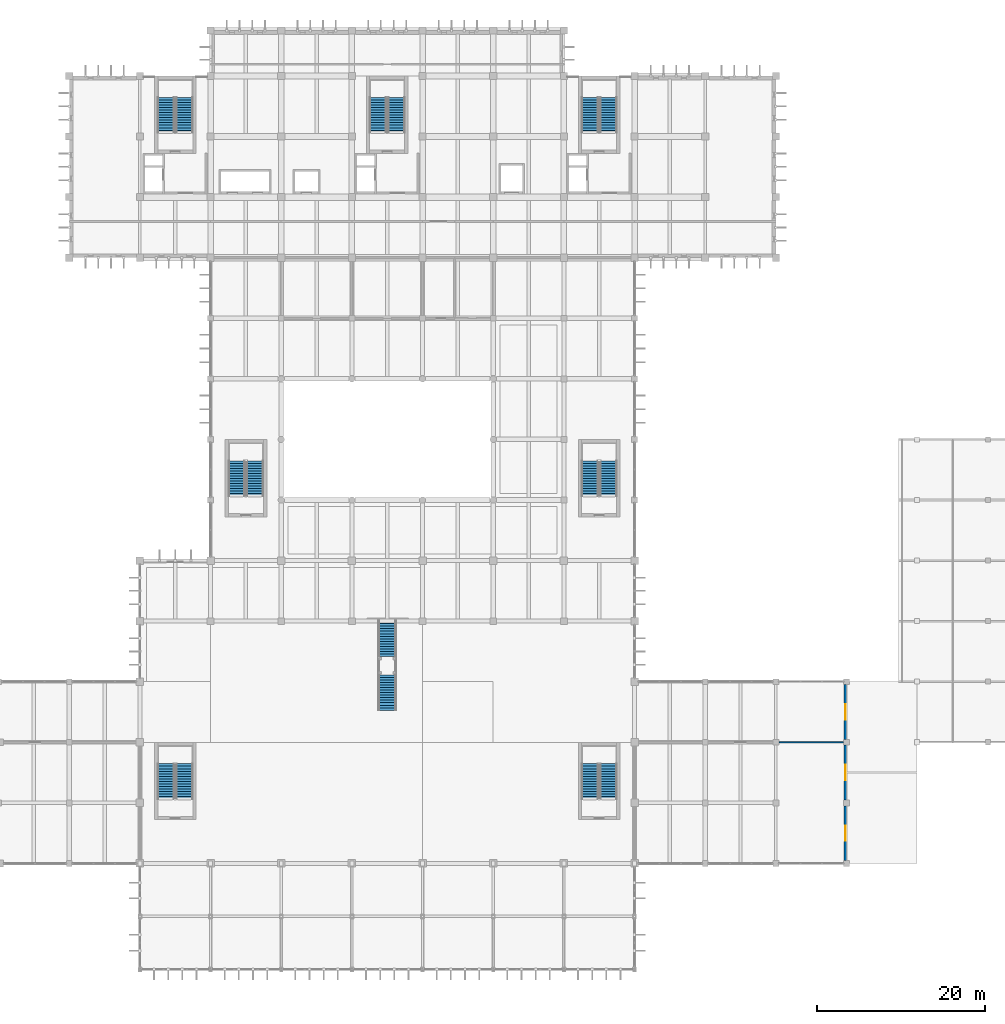
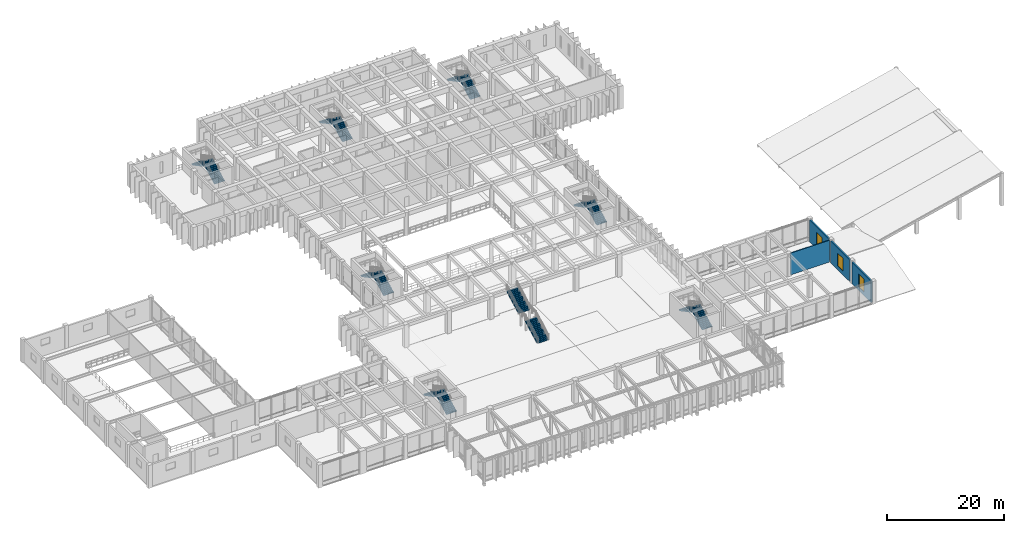
# One storey, part 38 of 51: 16 stair flights, 4 walls, 3 windows, 3 openings, 8 elements without a shape of their own.
"""IFC4 building model written with IfcOpenShell, lengths in metres."""

from ifc_helpers import new_model, si_unit, direction, frame, frame_2d, origin, place, context, subcontext, project, spatial, polyline, rectangle, outline, extrude, material, layer, layer_set, type_object, element, fill, aggregate, save


model = new_model("IFC4")

# Units and contexts
model_context = context("Model", 3, precision=1e-05, world=origin(), true_north=direction((0.0, 1.0)))
body_context = subcontext(model_context, "Body", "Model", "MODEL_VIEW")
ifc_project = project(units=[si_unit("LENGTHUNIT", "METRE"), si_unit("AREAUNIT", "SQUARE_METRE"), si_unit("VOLUMEUNIT", "CUBIC_METRE"), si_unit("PLANEANGLEUNIT", "RADIAN"), si_unit("MASSUNIT", "GRAM", prefix="KILO")], contexts=[model_context])

# Site, building, storey
site_placement = place(None, origin())
site = spatial("IfcSite", under=ifc_project, at=site_placement, CompositionType="ELEMENT")
building_placement = place(site_placement, origin())
building = spatial("IfcBuilding", under=site, at=building_placement, Name="Kenerak Square Central Library", CompositionType="ELEMENT")
storey_placement = place(building_placement, frame((0.0, 0.0, 9.60009765625)))
storey = spatial("IfcBuildingStorey", under=building, at=storey_placement, Name="L02", CompositionType="ELEMENT", Elevation=9.60009765625)

# Wall
ifc_material_1 = material(Name="Precast concrete C40/50", Category="concrete")
ifc_layer_1 = layer(ifc_material_1, 0.14990234375)
ifc_layer_set_1 = layer_set([ifc_layer_1], Name="Precast concrete C40/50")
wall_type_1 = type_object("IfcWallType", Name="Acoustic Blockwork Partition IW-150 C40/50", PredefinedType="PARTITIONING", material=ifc_layer_set_1)
wall_1_placement = place(storey_placement, frame((134.35009765625, 31.199951171875, 0.0), z_axis=(0.0, 0.0, 1.0), x_axis=(1.0, 0.0, 0.0)))
element("IfcWall", 1, at=wall_1_placement, inside=storey, type_object=wall_type_1, Name="Interior Wall IW-L02-03-N2-B3", PredefinedType="PARTITIONING", context=body_context, shape_type="SweptSolid", body=[
    extrude(rectangle(XDim=7.699951171875, YDim=0.14990234375, at=frame_2d((3.85009765625, 0.0))), origin(), (0.0, 0.0, 1.0), 4.5498046875),
])

# Wall, opening, window
ifc_material_2 = material(Name="Concrete C40/50", Category="concrete")
ifc_layer_2 = layer(ifc_material_2, 0.300048828125)
ifc_layer_set_2 = layer_set([ifc_layer_2], Name="Concrete C40/50")
wall_type_2 = type_object("IfcWallType", Name="Board-Marked Brutalist Facade Wall EW-300 C40/50", PredefinedType="SOLIDWALL", material=ifc_layer_set_2)
wall_2_placement = place(storey_placement, frame((142.25, 38.050048828125, 0.0), z_axis=(0.0, 0.0, 1.0), x_axis=(0.0, -1.0, 0.0)))
wall_2 = element("IfcWall", 2, at=wall_2_placement, inside=storey, type_object=wall_type_2, Name="Exterior Facade Wall L02 0189", PredefinedType="SOLIDWALL", context=body_context, shape_type="SweptSolid", body=[
    extrude(rectangle(XDim=6.5, YDim=0.300048828125, at=frame_2d((3.25, 0.0))), origin(), (0.0, 0.0, 1.0), 4.5498046875),
])
opening_1_placement = place(wall_2_placement, frame((2.35009765625, 0.0, 0.75)))
opening_1 = element("IfcOpeningElement", 3, at=opening_1_placement, cuts=wall_2, Name="Opening W-10", PredefinedType="OPENING", context=body_context, shape_type="SweptSolid", body=[
    extrude(rectangle(XDim=1.800048828125, YDim=2.699951171875, at=frame_2d((0.89990234375, 1.35009765625))), frame((0.0, 0.159912109375, 0.0), z_axis=(0.0, -1.0, 0.0), x_axis=(1.0, 0.0, 0.0)), (0.0, 0.0, 1.0), 0.320068359375),
])
ifc_material_3 = material(Name="Solar-control low-E laminated double glazing", Category="glass")
window_type = type_object("IfcWindowType", Name="Reading Gallery Tall Window W-10 1800x2700", PartitioningType="SINGLE_PANEL", PredefinedType="WINDOW", material=ifc_material_3)
window_1_placement = place(opening_1_placement, origin())
window_1 = element("IfcWindow", 4, at=window_1_placement, inside=storey, type_object=window_type, Name="Window W-10 L02 0196", OverallHeight=2.699951171875, OverallWidth=1.800048828125, PartitioningType="SINGLE_PANEL", PredefinedType="WINDOW", context=body_context, shape_type="SweptSolid", body=[
    extrude(rectangle(XDim=1.800048828125, YDim=2.699951171875, at=frame_2d((0.89990234375, 1.35009765625))), frame((0.0, 0.030029296875, 0.0), z_axis=(0.0, -1.0, 0.0), x_axis=(1.0, 0.0, 0.0)), (0.0, 0.0, 1.0), 0.06005859375),
])
fill(opening_1, window_1)

wall_3_placement = place(storey_placement, frame((142.25, 30.85009765625, 0.0), z_axis=(0.0, 0.0, 1.0), x_axis=(0.0, -1.0, 0.0)))
wall_3 = element("IfcWall", 5, at=wall_3_placement, inside=storey, type_object=wall_type_2, Name="Exterior Facade Wall L02 0190", PredefinedType="SOLIDWALL", context=body_context, shape_type="SweptSolid", body=[
    extrude(rectangle(XDim=6.5, YDim=0.300048828125, at=frame_2d((3.25, 0.0))), origin(), (0.0, 0.0, 1.0), 4.5498046875),
])
opening_2_placement = place(wall_3_placement, frame((2.35009765625, 0.0, 0.75)))
opening_2 = element("IfcOpeningElement", 6, at=opening_2_placement, cuts=wall_3, Name="Opening W-10", PredefinedType="OPENING", context=body_context, shape_type="SweptSolid", body=[
    extrude(rectangle(XDim=1.800048828125, YDim=2.699951171875, at=frame_2d((0.89990234375, 1.35009765625))), frame((0.0, 0.159912109375, 0.0), z_axis=(0.0, -1.0, 0.0), x_axis=(1.0, 0.0, 0.0)), (0.0, 0.0, 1.0), 0.320068359375),
])
window_2_placement = place(opening_2_placement, origin())
window_2 = element("IfcWindow", 7, at=window_2_placement, inside=storey, type_object=window_type, Name="Window W-10 L02 0197", OverallHeight=2.699951171875, OverallWidth=1.800048828125, PartitioningType="SINGLE_PANEL", PredefinedType="WINDOW", context=body_context, shape_type="SweptSolid", body=[
    extrude(rectangle(XDim=1.800048828125, YDim=2.699951171875, at=frame_2d((0.89990234375, 1.35009765625))), frame((0.0, 0.030029296875, 0.0), z_axis=(0.0, -1.0, 0.0), x_axis=(1.0, 0.0, 0.0)), (0.0, 0.0, 1.0), 0.06005859375),
])
fill(opening_2, window_2)

wall_4_placement = place(storey_placement, frame((142.25, 23.64990234375, 0.0), z_axis=(0.0, 0.0, 1.0), x_axis=(0.0, -1.0, 0.0)))
wall_4 = element("IfcWall", 8, at=wall_4_placement, inside=storey, type_object=wall_type_2, Name="Exterior Facade Wall L02 0191", PredefinedType="SOLIDWALL", context=body_context, shape_type="SweptSolid", body=[
    extrude(rectangle(XDim=6.5, YDim=0.300048828125, at=frame_2d((3.25, 0.0))), origin(), (0.0, 0.0, 1.0), 4.5498046875),
])
opening_3_placement = place(wall_4_placement, frame((2.35009765625, 0.0, 0.75)))
opening_3 = element("IfcOpeningElement", 9, at=opening_3_placement, cuts=wall_4, Name="Opening W-10", PredefinedType="OPENING", context=body_context, shape_type="SweptSolid", body=[
    extrude(rectangle(XDim=1.800048828125, YDim=2.699951171875, at=frame_2d((0.89990234375, 1.35009765625))), frame((0.0, 0.159912109375, 0.0), z_axis=(0.0, -1.0, 0.0), x_axis=(1.0, 0.0, 0.0)), (0.0, 0.0, 1.0), 0.320068359375),
])
window_3_placement = place(opening_3_placement, origin())
window_3 = element("IfcWindow", 10, at=window_3_placement, inside=storey, type_object=window_type, Name="Window W-10 L02 0198", OverallHeight=2.699951171875, OverallWidth=1.800048828125, PartitioningType="SINGLE_PANEL", PredefinedType="WINDOW", context=body_context, shape_type="SweptSolid", body=[
    extrude(rectangle(XDim=1.800048828125, YDim=2.699951171875, at=frame_2d((0.89990234375, 1.35009765625))), frame((0.0, 0.030029296875, 0.0), z_axis=(0.0, -1.0, 0.0), x_axis=(1.0, 0.0, 0.0)), (0.0, 0.0, 1.0), 0.06005859375),
])
fill(opening_3, window_3)

# Stair, stair flights
stair_type_1 = type_object("IfcStairType", Name="Exit Dogleg Stair ST-480 C40/50", PredefinedType="HALF_TURN_STAIR", material=ifc_material_2)
stair_1_placement = place(storey_placement, origin())
stair_1 = element("IfcStair", 11, at=stair_1_placement, inside=storey, type_object=stair_type_1, Name="L02 Protected Exit Stair ST-01", PredefinedType="HALF_TURN_STAIR")
stair_flight_type_1 = type_object("IfcStairFlightType", Name="Exit Stair Flight FL-15 C40/50", PredefinedType="STRAIGHT", material=ifc_material_2)
stair_flight_1_placement = place(storey_placement, frame((63.68994140625, 103.64990234375, 0.0), z_axis=(0.0, 0.0, 1.0), x_axis=(0.0, 1.0, 0.0)))
stair_flight_1 = element("IfcStairFlight", 12, at=stair_flight_1_placement, type_object=stair_flight_type_1, Name="ST-01 Flight 1", NumberOfRisers=15, NumberOfTreads=14, PredefinedType="STRAIGHT", RiserHeight=0.16, TreadLength=0.3, context=body_context, shape_type="SweptSolid", body=[
    extrude(outline(polyline([(0.0, 0.0), (0.0, 0.159912109375), (0.300048828125, 0.159912109375), (0.300048828125, 0.320068359375), (0.60009765625, 0.320068359375), (0.60009765625, 0.47998046875), (0.89990234375, 0.47998046875), (0.89990234375, 0.639892578125), (1.199951171875, 0.639892578125), (1.199951171875, 0.800048828125), (1.5, 0.800048828125), (1.5, 0.9599609375), (1.800048828125, 0.9599609375), (1.800048828125, 1.1201171875), (2.10009765625, 1.1201171875), (2.10009765625, 1.280029296875), (2.39990234375, 1.280029296875), (2.39990234375, 1.43994140625), (2.699951171875, 1.43994140625), (2.699951171875, 1.60009765625), (3.0, 1.60009765625), (3.0, 1.760009765625), (3.300048828125, 1.760009765625), (3.300048828125, 1.919921875), (3.60009765625, 1.919921875), (3.60009765625, 2.080078125), (3.89990234375, 2.080078125), (3.89990234375, 2.239990234375), (4.199951171875, 2.239990234375), (4.199951171875, 2.39990234375), (4.199951171875, 2.0361328125), (0.38232421875, 0.0), (0.0, 0.0)])), frame((0.0, 0.989990234375, 0.0), z_axis=(0.0, -1.0, 0.0), x_axis=(1.0, 0.0, 0.0)), (0.0, 0.0, 1.0), 1.97998046875),
])
stair_flight_2_placement = place(storey_placement, frame((61.510009765625, 107.85009765625, 2.39990234375), z_axis=(0.0, 0.0, 1.0), x_axis=(0.0, -1.0, 0.0)))
stair_flight_2 = element("IfcStairFlight", 13, at=stair_flight_2_placement, type_object=stair_flight_type_1, Name="ST-01 Flight 2", NumberOfRisers=15, NumberOfTreads=14, PredefinedType="STRAIGHT", RiserHeight=0.16, TreadLength=0.3, context=body_context, shape_type="SweptSolid", body=[
    extrude(outline(polyline([(0.0, 0.0), (0.0, 0.159912109375), (0.300048828125, 0.159912109375), (0.300048828125, 0.320068359375), (0.60009765625, 0.320068359375), (0.60009765625, 0.47998046875), (0.89990234375, 0.47998046875), (0.89990234375, 0.639892578125), (1.199951171875, 0.639892578125), (1.199951171875, 0.800048828125), (1.5, 0.800048828125), (1.5, 0.9599609375), (1.800048828125, 0.9599609375), (1.800048828125, 1.1201171875), (2.10009765625, 1.1201171875), (2.10009765625, 1.280029296875), (2.39990234375, 1.280029296875), (2.39990234375, 1.43994140625), (2.699951171875, 1.43994140625), (2.699951171875, 1.60009765625), (3.0, 1.60009765625), (3.0, 1.760009765625), (3.300048828125, 1.760009765625), (3.300048828125, 1.919921875), (3.60009765625, 1.919921875), (3.60009765625, 2.080078125), (3.89990234375, 2.080078125), (3.89990234375, 2.239990234375), (4.199951171875, 2.239990234375), (4.199951171875, 2.39990234375), (4.199951171875, 2.0361328125), (0.38232421875, 0.0), (0.0, 0.0)])), frame((0.0, 0.989990234375, 0.0), z_axis=(0.0, -1.0, 0.0), x_axis=(1.0, 0.0, 0.0)), (0.0, 0.0, 1.0), 1.97998046875),
])
aggregate(stair_1, [stair_flight_1, stair_flight_2])

stair_2_placement = place(storey_placement, origin())
stair_2 = element("IfcStair", 14, at=stair_2_placement, inside=storey, type_object=stair_type_1, Name="L02 Protected Exit Stair ST-02", PredefinedType="HALF_TURN_STAIR")
stair_flight_3_placement = place(storey_placement, frame((88.889892578125, 103.64990234375, 0.0), z_axis=(0.0, 0.0, 1.0), x_axis=(0.0, 1.0, 0.0)))
stair_flight_3 = element("IfcStairFlight", 15, at=stair_flight_3_placement, type_object=stair_flight_type_1, Name="ST-02 Flight 1", NumberOfRisers=15, NumberOfTreads=14, PredefinedType="STRAIGHT", RiserHeight=0.16, TreadLength=0.3, context=body_context, shape_type="SweptSolid", body=[
    extrude(outline(polyline([(0.0, 0.0), (0.0, 0.159912109375), (0.300048828125, 0.159912109375), (0.300048828125, 0.320068359375), (0.60009765625, 0.320068359375), (0.60009765625, 0.47998046875), (0.89990234375, 0.47998046875), (0.89990234375, 0.639892578125), (1.199951171875, 0.639892578125), (1.199951171875, 0.800048828125), (1.5, 0.800048828125), (1.5, 0.9599609375), (1.800048828125, 0.9599609375), (1.800048828125, 1.1201171875), (2.10009765625, 1.1201171875), (2.10009765625, 1.280029296875), (2.39990234375, 1.280029296875), (2.39990234375, 1.43994140625), (2.699951171875, 1.43994140625), (2.699951171875, 1.60009765625), (3.0, 1.60009765625), (3.0, 1.760009765625), (3.300048828125, 1.760009765625), (3.300048828125, 1.919921875), (3.60009765625, 1.919921875), (3.60009765625, 2.080078125), (3.89990234375, 2.080078125), (3.89990234375, 2.239990234375), (4.199951171875, 2.239990234375), (4.199951171875, 2.39990234375), (4.199951171875, 2.0361328125), (0.38232421875, 0.0), (0.0, 0.0)])), frame((0.0, 0.989990234375, 0.0), z_axis=(0.0, -1.0, 0.0), x_axis=(1.0, 0.0, 0.0)), (0.0, 0.0, 1.0), 1.97998046875),
])
stair_flight_4_placement = place(storey_placement, frame((86.7099609375, 107.85009765625, 2.39990234375), z_axis=(0.0, 0.0, 1.0), x_axis=(0.0, -1.0, 0.0)))
stair_flight_4 = element("IfcStairFlight", 16, at=stair_flight_4_placement, type_object=stair_flight_type_1, Name="ST-02 Flight 2", NumberOfRisers=15, NumberOfTreads=14, PredefinedType="STRAIGHT", RiserHeight=0.16, TreadLength=0.3, context=body_context, shape_type="SweptSolid", body=[
    extrude(outline(polyline([(0.0, 0.0), (0.0, 0.159912109375), (0.300048828125, 0.159912109375), (0.300048828125, 0.320068359375), (0.60009765625, 0.320068359375), (0.60009765625, 0.47998046875), (0.89990234375, 0.47998046875), (0.89990234375, 0.639892578125), (1.199951171875, 0.639892578125), (1.199951171875, 0.800048828125), (1.5, 0.800048828125), (1.5, 0.9599609375), (1.800048828125, 0.9599609375), (1.800048828125, 1.1201171875), (2.10009765625, 1.1201171875), (2.10009765625, 1.280029296875), (2.39990234375, 1.280029296875), (2.39990234375, 1.43994140625), (2.699951171875, 1.43994140625), (2.699951171875, 1.60009765625), (3.0, 1.60009765625), (3.0, 1.760009765625), (3.300048828125, 1.760009765625), (3.300048828125, 1.919921875), (3.60009765625, 1.919921875), (3.60009765625, 2.080078125), (3.89990234375, 2.080078125), (3.89990234375, 2.239990234375), (4.199951171875, 2.239990234375), (4.199951171875, 2.39990234375), (4.199951171875, 2.0361328125), (0.38232421875, 0.0), (0.0, 0.0)])), frame((0.0, 0.989990234375, 0.0), z_axis=(0.0, -1.0, 0.0), x_axis=(1.0, 0.0, 0.0)), (0.0, 0.0, 1.0), 1.97998046875),
])
aggregate(stair_2, [stair_flight_3, stair_flight_4])

stair_3_placement = place(storey_placement, origin())
stair_3 = element("IfcStair", 17, at=stair_3_placement, inside=storey, type_object=stair_type_1, Name="L02 Protected Exit Stair ST-03", PredefinedType="HALF_TURN_STAIR")
stair_flight_5_placement = place(storey_placement, frame((114.090087890625, 103.64990234375, 0.0), z_axis=(0.0, 0.0, 1.0), x_axis=(0.0, 1.0, 0.0)))
stair_flight_5 = element("IfcStairFlight", 18, at=stair_flight_5_placement, type_object=stair_flight_type_1, Name="ST-03 Flight 1", NumberOfRisers=15, NumberOfTreads=14, PredefinedType="STRAIGHT", RiserHeight=0.16, TreadLength=0.3, context=body_context, shape_type="SweptSolid", body=[
    extrude(outline(polyline([(0.0, 0.0), (0.0, 0.159912109375), (0.300048828125, 0.159912109375), (0.300048828125, 0.320068359375), (0.60009765625, 0.320068359375), (0.60009765625, 0.47998046875), (0.89990234375, 0.47998046875), (0.89990234375, 0.639892578125), (1.199951171875, 0.639892578125), (1.199951171875, 0.800048828125), (1.5, 0.800048828125), (1.5, 0.9599609375), (1.800048828125, 0.9599609375), (1.800048828125, 1.1201171875), (2.10009765625, 1.1201171875), (2.10009765625, 1.280029296875), (2.39990234375, 1.280029296875), (2.39990234375, 1.43994140625), (2.699951171875, 1.43994140625), (2.699951171875, 1.60009765625), (3.0, 1.60009765625), (3.0, 1.760009765625), (3.300048828125, 1.760009765625), (3.300048828125, 1.919921875), (3.60009765625, 1.919921875), (3.60009765625, 2.080078125), (3.89990234375, 2.080078125), (3.89990234375, 2.239990234375), (4.199951171875, 2.239990234375), (4.199951171875, 2.39990234375), (4.199951171875, 2.0361328125), (0.38232421875, 0.0), (0.0, 0.0)])), frame((0.0, 0.989990234375, 0.0), z_axis=(0.0, -1.0, 0.0), x_axis=(1.0, 0.0, 0.0)), (0.0, 0.0, 1.0), 1.97998046875),
])
stair_flight_6_placement = place(storey_placement, frame((111.909912109375, 107.85009765625, 2.39990234375), z_axis=(0.0, 0.0, 1.0), x_axis=(0.0, -1.0, 0.0)))
stair_flight_6 = element("IfcStairFlight", 19, at=stair_flight_6_placement, type_object=stair_flight_type_1, Name="ST-03 Flight 2", NumberOfRisers=15, NumberOfTreads=14, PredefinedType="STRAIGHT", RiserHeight=0.16, TreadLength=0.3, context=body_context, shape_type="SweptSolid", body=[
    extrude(outline(polyline([(0.0, 0.0), (0.0, 0.159912109375), (0.300048828125, 0.159912109375), (0.300048828125, 0.320068359375), (0.60009765625, 0.320068359375), (0.60009765625, 0.47998046875), (0.89990234375, 0.47998046875), (0.89990234375, 0.639892578125), (1.199951171875, 0.639892578125), (1.199951171875, 0.800048828125), (1.5, 0.800048828125), (1.5, 0.9599609375), (1.800048828125, 0.9599609375), (1.800048828125, 1.1201171875), (2.10009765625, 1.1201171875), (2.10009765625, 1.280029296875), (2.39990234375, 1.280029296875), (2.39990234375, 1.43994140625), (2.699951171875, 1.43994140625), (2.699951171875, 1.60009765625), (3.0, 1.60009765625), (3.0, 1.760009765625), (3.300048828125, 1.760009765625), (3.300048828125, 1.919921875), (3.60009765625, 1.919921875), (3.60009765625, 2.080078125), (3.89990234375, 2.080078125), (3.89990234375, 2.239990234375), (4.199951171875, 2.239990234375), (4.199951171875, 2.39990234375), (4.199951171875, 2.0361328125), (0.38232421875, 0.0), (0.0, 0.0)])), frame((0.0, 0.989990234375, 0.0), z_axis=(0.0, -1.0, 0.0), x_axis=(1.0, 0.0, 0.0)), (0.0, 0.0, 1.0), 1.97998046875),
])
aggregate(stair_3, [stair_flight_5, stair_flight_6])

stair_4_placement = place(storey_placement, origin())
stair_4 = element("IfcStair", 20, at=stair_4_placement, inside=storey, type_object=stair_type_1, Name="L02 Protected Exit Stair ST-04", PredefinedType="HALF_TURN_STAIR")
stair_flight_7_placement = place(storey_placement, frame((63.68994140625, 24.449951171875, 0.0), z_axis=(0.0, 0.0, 1.0), x_axis=(0.0, 1.0, 0.0)))
stair_flight_7 = element("IfcStairFlight", 21, at=stair_flight_7_placement, type_object=stair_flight_type_1, Name="ST-04 Flight 1", NumberOfRisers=15, NumberOfTreads=14, PredefinedType="STRAIGHT", RiserHeight=0.16, TreadLength=0.3, context=body_context, shape_type="SweptSolid", body=[
    extrude(outline(polyline([(0.0, 0.0), (0.0, 0.159912109375), (0.300048828125, 0.159912109375), (0.300048828125, 0.320068359375), (0.60009765625, 0.320068359375), (0.60009765625, 0.47998046875), (0.89990234375, 0.47998046875), (0.89990234375, 0.639892578125), (1.199951171875, 0.639892578125), (1.199951171875, 0.800048828125), (1.5, 0.800048828125), (1.5, 0.9599609375), (1.800048828125, 0.9599609375), (1.800048828125, 1.1201171875), (2.10009765625, 1.1201171875), (2.10009765625, 1.280029296875), (2.39990234375, 1.280029296875), (2.39990234375, 1.43994140625), (2.699951171875, 1.43994140625), (2.699951171875, 1.60009765625), (3.0, 1.60009765625), (3.0, 1.760009765625), (3.300048828125, 1.760009765625), (3.300048828125, 1.919921875), (3.60009765625, 1.919921875), (3.60009765625, 2.080078125), (3.89990234375, 2.080078125), (3.89990234375, 2.239990234375), (4.199951171875, 2.239990234375), (4.199951171875, 2.39990234375), (4.199951171875, 2.0361328125), (0.38232421875, 0.0), (0.0, 0.0)])), frame((0.0, 0.989990234375, 0.0), z_axis=(0.0, -1.0, 0.0), x_axis=(1.0, 0.0, 0.0)), (0.0, 0.0, 1.0), 1.97998046875),
])
stair_flight_8_placement = place(storey_placement, frame((61.510009765625, 28.64990234375, 2.39990234375), z_axis=(0.0, 0.0, 1.0), x_axis=(0.0, -1.0, 0.0)))
stair_flight_8 = element("IfcStairFlight", 22, at=stair_flight_8_placement, type_object=stair_flight_type_1, Name="ST-04 Flight 2", NumberOfRisers=15, NumberOfTreads=14, PredefinedType="STRAIGHT", RiserHeight=0.16, TreadLength=0.3, context=body_context, shape_type="SweptSolid", body=[
    extrude(outline(polyline([(0.0, 0.0), (0.0, 0.159912109375), (0.300048828125, 0.159912109375), (0.300048828125, 0.320068359375), (0.60009765625, 0.320068359375), (0.60009765625, 0.47998046875), (0.89990234375, 0.47998046875), (0.89990234375, 0.639892578125), (1.199951171875, 0.639892578125), (1.199951171875, 0.800048828125), (1.5, 0.800048828125), (1.5, 0.9599609375), (1.800048828125, 0.9599609375), (1.800048828125, 1.1201171875), (2.10009765625, 1.1201171875), (2.10009765625, 1.280029296875), (2.39990234375, 1.280029296875), (2.39990234375, 1.43994140625), (2.699951171875, 1.43994140625), (2.699951171875, 1.60009765625), (3.0, 1.60009765625), (3.0, 1.760009765625), (3.300048828125, 1.760009765625), (3.300048828125, 1.919921875), (3.60009765625, 1.919921875), (3.60009765625, 2.080078125), (3.89990234375, 2.080078125), (3.89990234375, 2.239990234375), (4.199951171875, 2.239990234375), (4.199951171875, 2.39990234375), (4.199951171875, 2.0361328125), (0.38232421875, 0.0), (0.0, 0.0)])), frame((0.0, 0.989990234375, 0.0), z_axis=(0.0, -1.0, 0.0), x_axis=(1.0, 0.0, 0.0)), (0.0, 0.0, 1.0), 1.97998046875),
])
aggregate(stair_4, [stair_flight_7, stair_flight_8])

stair_5_placement = place(storey_placement, origin())
stair_5 = element("IfcStair", 23, at=stair_5_placement, inside=storey, type_object=stair_type_1, Name="L02 Protected Exit Stair ST-05", PredefinedType="HALF_TURN_STAIR")
stair_flight_9_placement = place(storey_placement, frame((114.090087890625, 24.449951171875, 0.0), z_axis=(0.0, 0.0, 1.0), x_axis=(0.0, 1.0, 0.0)))
stair_flight_9 = element("IfcStairFlight", 24, at=stair_flight_9_placement, type_object=stair_flight_type_1, Name="ST-05 Flight 1", NumberOfRisers=15, NumberOfTreads=14, PredefinedType="STRAIGHT", RiserHeight=0.16, TreadLength=0.3, context=body_context, shape_type="SweptSolid", body=[
    extrude(outline(polyline([(0.0, 0.0), (0.0, 0.159912109375), (0.300048828125, 0.159912109375), (0.300048828125, 0.320068359375), (0.60009765625, 0.320068359375), (0.60009765625, 0.47998046875), (0.89990234375, 0.47998046875), (0.89990234375, 0.639892578125), (1.199951171875, 0.639892578125), (1.199951171875, 0.800048828125), (1.5, 0.800048828125), (1.5, 0.9599609375), (1.800048828125, 0.9599609375), (1.800048828125, 1.1201171875), (2.10009765625, 1.1201171875), (2.10009765625, 1.280029296875), (2.39990234375, 1.280029296875), (2.39990234375, 1.43994140625), (2.699951171875, 1.43994140625), (2.699951171875, 1.60009765625), (3.0, 1.60009765625), (3.0, 1.760009765625), (3.300048828125, 1.760009765625), (3.300048828125, 1.919921875), (3.60009765625, 1.919921875), (3.60009765625, 2.080078125), (3.89990234375, 2.080078125), (3.89990234375, 2.239990234375), (4.199951171875, 2.239990234375), (4.199951171875, 2.39990234375), (4.199951171875, 2.0361328125), (0.38232421875, 0.0), (0.0, 0.0)])), frame((0.0, 0.989990234375, 0.0), z_axis=(0.0, -1.0, 0.0), x_axis=(1.0, 0.0, 0.0)), (0.0, 0.0, 1.0), 1.97998046875),
])
stair_flight_10_placement = place(storey_placement, frame((111.909912109375, 28.64990234375, 2.39990234375), z_axis=(0.0, 0.0, 1.0), x_axis=(0.0, -1.0, 0.0)))
stair_flight_10 = element("IfcStairFlight", 25, at=stair_flight_10_placement, type_object=stair_flight_type_1, Name="ST-05 Flight 2", NumberOfRisers=15, NumberOfTreads=14, PredefinedType="STRAIGHT", RiserHeight=0.16, TreadLength=0.3, context=body_context, shape_type="SweptSolid", body=[
    extrude(outline(polyline([(0.0, 0.0), (0.0, 0.159912109375), (0.300048828125, 0.159912109375), (0.300048828125, 0.320068359375), (0.60009765625, 0.320068359375), (0.60009765625, 0.47998046875), (0.89990234375, 0.47998046875), (0.89990234375, 0.639892578125), (1.199951171875, 0.639892578125), (1.199951171875, 0.800048828125), (1.5, 0.800048828125), (1.5, 0.9599609375), (1.800048828125, 0.9599609375), (1.800048828125, 1.1201171875), (2.10009765625, 1.1201171875), (2.10009765625, 1.280029296875), (2.39990234375, 1.280029296875), (2.39990234375, 1.43994140625), (2.699951171875, 1.43994140625), (2.699951171875, 1.60009765625), (3.0, 1.60009765625), (3.0, 1.760009765625), (3.300048828125, 1.760009765625), (3.300048828125, 1.919921875), (3.60009765625, 1.919921875), (3.60009765625, 2.080078125), (3.89990234375, 2.080078125), (3.89990234375, 2.239990234375), (4.199951171875, 2.239990234375), (4.199951171875, 2.39990234375), (4.199951171875, 2.0361328125), (0.38232421875, 0.0), (0.0, 0.0)])), frame((0.0, 0.989990234375, 0.0), z_axis=(0.0, -1.0, 0.0), x_axis=(1.0, 0.0, 0.0)), (0.0, 0.0, 1.0), 1.97998046875),
])
aggregate(stair_5, [stair_flight_9, stair_flight_10])

stair_6_placement = place(storey_placement, origin())
stair_6 = element("IfcStair", 26, at=stair_6_placement, inside=storey, type_object=stair_type_1, Name="L02 Protected Exit Stair ST-08", PredefinedType="HALF_TURN_STAIR")
stair_flight_11_placement = place(storey_placement, frame((72.090087890625, 60.449951171875, 0.0), z_axis=(0.0, 0.0, 1.0), x_axis=(0.0, 1.0, 0.0)))
stair_flight_11 = element("IfcStairFlight", 27, at=stair_flight_11_placement, type_object=stair_flight_type_1, Name="ST-08 Flight 1", NumberOfRisers=15, NumberOfTreads=14, PredefinedType="STRAIGHT", RiserHeight=0.16, TreadLength=0.3, context=body_context, shape_type="SweptSolid", body=[
    extrude(outline(polyline([(0.0, 0.0), (0.0, 0.159912109375), (0.300048828125, 0.159912109375), (0.300048828125, 0.320068359375), (0.60009765625, 0.320068359375), (0.60009765625, 0.47998046875), (0.89990234375, 0.47998046875), (0.89990234375, 0.639892578125), (1.199951171875, 0.639892578125), (1.199951171875, 0.800048828125), (1.5, 0.800048828125), (1.5, 0.9599609375), (1.800048828125, 0.9599609375), (1.800048828125, 1.1201171875), (2.10009765625, 1.1201171875), (2.10009765625, 1.280029296875), (2.39990234375, 1.280029296875), (2.39990234375, 1.43994140625), (2.699951171875, 1.43994140625), (2.699951171875, 1.60009765625), (3.0, 1.60009765625), (3.0, 1.760009765625), (3.300048828125, 1.760009765625), (3.300048828125, 1.919921875), (3.60009765625, 1.919921875), (3.60009765625, 2.080078125), (3.89990234375, 2.080078125), (3.89990234375, 2.239990234375), (4.199951171875, 2.239990234375), (4.199951171875, 2.39990234375), (4.199951171875, 2.0361328125), (0.38232421875, 0.0), (0.0, 0.0)])), frame((0.0, 0.989990234375, 0.0), z_axis=(0.0, -1.0, 0.0), x_axis=(1.0, 0.0, 0.0)), (0.0, 0.0, 1.0), 1.97998046875),
])
stair_flight_12_placement = place(storey_placement, frame((69.909912109375, 64.64990234375, 2.39990234375), z_axis=(0.0, 0.0, 1.0), x_axis=(0.0, -1.0, 0.0)))
stair_flight_12 = element("IfcStairFlight", 28, at=stair_flight_12_placement, type_object=stair_flight_type_1, Name="ST-08 Flight 2", NumberOfRisers=15, NumberOfTreads=14, PredefinedType="STRAIGHT", RiserHeight=0.16, TreadLength=0.3, context=body_context, shape_type="SweptSolid", body=[
    extrude(outline(polyline([(0.0, 0.0), (0.0, 0.159912109375), (0.300048828125, 0.159912109375), (0.300048828125, 0.320068359375), (0.60009765625, 0.320068359375), (0.60009765625, 0.47998046875), (0.89990234375, 0.47998046875), (0.89990234375, 0.639892578125), (1.199951171875, 0.639892578125), (1.199951171875, 0.800048828125), (1.5, 0.800048828125), (1.5, 0.9599609375), (1.800048828125, 0.9599609375), (1.800048828125, 1.1201171875), (2.10009765625, 1.1201171875), (2.10009765625, 1.280029296875), (2.39990234375, 1.280029296875), (2.39990234375, 1.43994140625), (2.699951171875, 1.43994140625), (2.699951171875, 1.60009765625), (3.0, 1.60009765625), (3.0, 1.760009765625), (3.300048828125, 1.760009765625), (3.300048828125, 1.919921875), (3.60009765625, 1.919921875), (3.60009765625, 2.080078125), (3.89990234375, 2.080078125), (3.89990234375, 2.239990234375), (4.199951171875, 2.239990234375), (4.199951171875, 2.39990234375), (4.199951171875, 2.0361328125), (0.38232421875, 0.0), (0.0, 0.0)])), frame((0.0, 0.989990234375, 0.0), z_axis=(0.0, -1.0, 0.0), x_axis=(1.0, 0.0, 0.0)), (0.0, 0.0, 1.0), 1.97998046875),
])
aggregate(stair_6, [stair_flight_11, stair_flight_12])

stair_7_placement = place(storey_placement, origin())
stair_7 = element("IfcStair", 29, at=stair_7_placement, inside=storey, type_object=stair_type_1, Name="L02 Protected Exit Stair ST-09", PredefinedType="HALF_TURN_STAIR")
stair_flight_13_placement = place(storey_placement, frame((114.090087890625, 60.449951171875, 0.0), z_axis=(0.0, 0.0, 1.0), x_axis=(0.0, 1.0, 0.0)))
stair_flight_13 = element("IfcStairFlight", 30, at=stair_flight_13_placement, type_object=stair_flight_type_1, Name="ST-09 Flight 1", NumberOfRisers=15, NumberOfTreads=14, PredefinedType="STRAIGHT", RiserHeight=0.16, TreadLength=0.3, context=body_context, shape_type="SweptSolid", body=[
    extrude(outline(polyline([(0.0, 0.0), (0.0, 0.159912109375), (0.300048828125, 0.159912109375), (0.300048828125, 0.320068359375), (0.60009765625, 0.320068359375), (0.60009765625, 0.47998046875), (0.89990234375, 0.47998046875), (0.89990234375, 0.639892578125), (1.199951171875, 0.639892578125), (1.199951171875, 0.800048828125), (1.5, 0.800048828125), (1.5, 0.9599609375), (1.800048828125, 0.9599609375), (1.800048828125, 1.1201171875), (2.10009765625, 1.1201171875), (2.10009765625, 1.280029296875), (2.39990234375, 1.280029296875), (2.39990234375, 1.43994140625), (2.699951171875, 1.43994140625), (2.699951171875, 1.60009765625), (3.0, 1.60009765625), (3.0, 1.760009765625), (3.300048828125, 1.760009765625), (3.300048828125, 1.919921875), (3.60009765625, 1.919921875), (3.60009765625, 2.080078125), (3.89990234375, 2.080078125), (3.89990234375, 2.239990234375), (4.199951171875, 2.239990234375), (4.199951171875, 2.39990234375), (4.199951171875, 2.0361328125), (0.38232421875, 0.0), (0.0, 0.0)])), frame((0.0, 0.989990234375, 0.0), z_axis=(0.0, -1.0, 0.0), x_axis=(1.0, 0.0, 0.0)), (0.0, 0.0, 1.0), 1.97998046875),
])
stair_flight_14_placement = place(storey_placement, frame((111.909912109375, 64.64990234375, 2.39990234375), z_axis=(0.0, 0.0, 1.0), x_axis=(0.0, -1.0, 0.0)))
stair_flight_14 = element("IfcStairFlight", 31, at=stair_flight_14_placement, type_object=stair_flight_type_1, Name="ST-09 Flight 2", NumberOfRisers=15, NumberOfTreads=14, PredefinedType="STRAIGHT", RiserHeight=0.16, TreadLength=0.3, context=body_context, shape_type="SweptSolid", body=[
    extrude(outline(polyline([(0.0, 0.0), (0.0, 0.159912109375), (0.300048828125, 0.159912109375), (0.300048828125, 0.320068359375), (0.60009765625, 0.320068359375), (0.60009765625, 0.47998046875), (0.89990234375, 0.47998046875), (0.89990234375, 0.639892578125), (1.199951171875, 0.639892578125), (1.199951171875, 0.800048828125), (1.5, 0.800048828125), (1.5, 0.9599609375), (1.800048828125, 0.9599609375), (1.800048828125, 1.1201171875), (2.10009765625, 1.1201171875), (2.10009765625, 1.280029296875), (2.39990234375, 1.280029296875), (2.39990234375, 1.43994140625), (2.699951171875, 1.43994140625), (2.699951171875, 1.60009765625), (3.0, 1.60009765625), (3.0, 1.760009765625), (3.300048828125, 1.760009765625), (3.300048828125, 1.919921875), (3.60009765625, 1.919921875), (3.60009765625, 2.080078125), (3.89990234375, 2.080078125), (3.89990234375, 2.239990234375), (4.199951171875, 2.239990234375), (4.199951171875, 2.39990234375), (4.199951171875, 2.0361328125), (0.38232421875, 0.0), (0.0, 0.0)])), frame((0.0, 0.989990234375, 0.0), z_axis=(0.0, -1.0, 0.0), x_axis=(1.0, 0.0, 0.0)), (0.0, 0.0, 1.0), 1.97998046875),
])
aggregate(stair_7, [stair_flight_13, stair_flight_14])

ifc_material_4 = material(Name="Steel S355", Category="steel")
stair_type_2 = type_object("IfcStairType", Name="Feature Atrium Stair ST-FEAT S355", PredefinedType="STRAIGHT_RUN_STAIR", material=ifc_material_4)
stair_8_placement = place(storey_placement, origin())
stair_8 = element("IfcStair", 32, at=stair_8_placement, inside=storey, type_object=stair_type_2, Name="Feature Open Stair ST-F2", PredefinedType="STRAIGHT_RUN_STAIR")
stair_flight_type_2 = type_object("IfcStairFlightType", Name="Feature Stair Flight FL-FEAT S355", PredefinedType="STRAIGHT", material=ifc_material_4)
stair_flight_15_placement = place(storey_placement, frame((87.800048828125, 35.0, 0.0), z_axis=(0.0, 0.0, 1.0), x_axis=(0.0, 1.0, 0.0)))
stair_flight_15 = element("IfcStairFlight", 33, at=stair_flight_15_placement, type_object=stair_flight_type_2, Name="ST-F2 Flight 1", NumberOfRisers=15, NumberOfTreads=14, PredefinedType="STRAIGHT", RiserHeight=0.16, TreadLength=0.3, context=body_context, shape_type="SweptSolid", body=[
    extrude(outline(polyline([(0.0, 0.0), (0.0, 0.159912109375), (0.300048828125, 0.159912109375), (0.300048828125, 0.320068359375), (0.60009765625, 0.320068359375), (0.60009765625, 0.47998046875), (0.89990234375, 0.47998046875), (0.89990234375, 0.639892578125), (1.199951171875, 0.639892578125), (1.199951171875, 0.800048828125), (1.5, 0.800048828125), (1.5, 0.9599609375), (1.800048828125, 0.9599609375), (1.800048828125, 1.1201171875), (2.10009765625, 1.1201171875), (2.10009765625, 1.280029296875), (2.39990234375, 1.280029296875), (2.39990234375, 1.43994140625), (2.699951171875, 1.43994140625), (2.699951171875, 1.60009765625), (3.0, 1.60009765625), (3.0, 1.760009765625), (3.300048828125, 1.760009765625), (3.300048828125, 1.919921875), (3.60009765625, 1.919921875), (3.60009765625, 2.080078125), (3.89990234375, 2.080078125), (3.89990234375, 2.239990234375), (4.199951171875, 2.239990234375), (4.199951171875, 2.39990234375), (4.199951171875, 2.013427734375), (0.4248046875, 0.0), (0.0, 0.0)])), frame((0.0, 1.10009765625, 0.0), z_axis=(0.0, -1.0, 0.0), x_axis=(1.0, 0.0, 0.0)), (0.0, 0.0, 1.0), 2.199951171875),
])
stair_flight_16_placement = place(storey_placement, frame((87.800048828125, 41.39990234375, 2.39990234375), z_axis=(0.0, 0.0, 1.0), x_axis=(0.0, 1.0, 0.0)))
stair_flight_16 = element("IfcStairFlight", 34, at=stair_flight_16_placement, type_object=stair_flight_type_2, Name="ST-F2 Flight 2", NumberOfRisers=15, NumberOfTreads=14, PredefinedType="STRAIGHT", RiserHeight=0.16, TreadLength=0.3, context=body_context, shape_type="SweptSolid", body=[
    extrude(outline(polyline([(0.0, 0.0), (0.0, 0.159912109375), (0.300048828125, 0.159912109375), (0.300048828125, 0.320068359375), (0.60009765625, 0.320068359375), (0.60009765625, 0.47998046875), (0.89990234375, 0.47998046875), (0.89990234375, 0.639892578125), (1.199951171875, 0.639892578125), (1.199951171875, 0.800048828125), (1.5, 0.800048828125), (1.5, 0.9599609375), (1.800048828125, 0.9599609375), (1.800048828125, 1.1201171875), (2.10009765625, 1.1201171875), (2.10009765625, 1.280029296875), (2.39990234375, 1.280029296875), (2.39990234375, 1.43994140625), (2.699951171875, 1.43994140625), (2.699951171875, 1.60009765625), (3.0, 1.60009765625), (3.0, 1.760009765625), (3.300048828125, 1.760009765625), (3.300048828125, 1.919921875), (3.60009765625, 1.919921875), (3.60009765625, 2.080078125), (3.89990234375, 2.080078125), (3.89990234375, 2.239990234375), (4.199951171875, 2.239990234375), (4.199951171875, 2.39990234375), (4.199951171875, 2.013427734375), (0.4248046875, 0.0), (0.0, 0.0)])), frame((0.0, 1.10009765625, 0.0), z_axis=(0.0, -1.0, 0.0), x_axis=(1.0, 0.0, 0.0)), (0.0, 0.0, 1.0), 2.199951171875),
])
aggregate(stair_8, [stair_flight_15, stair_flight_16])

save(model, "model.ifc")
